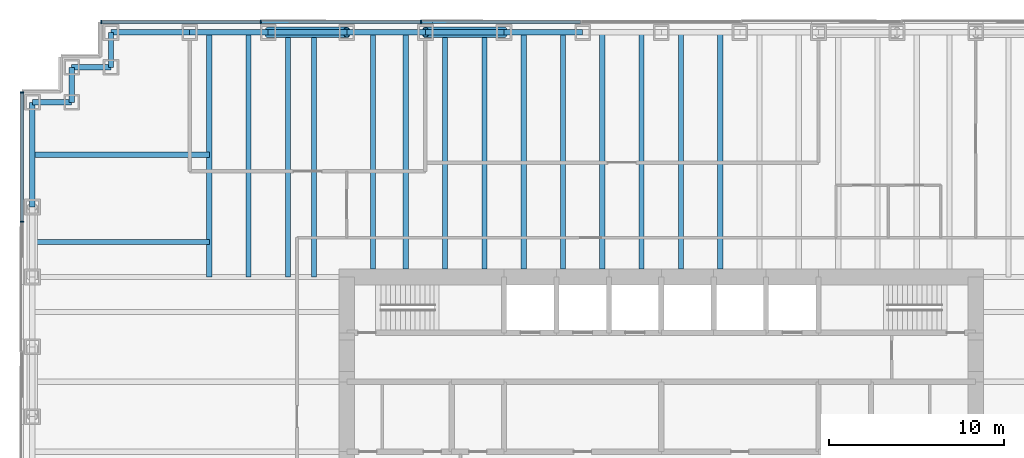
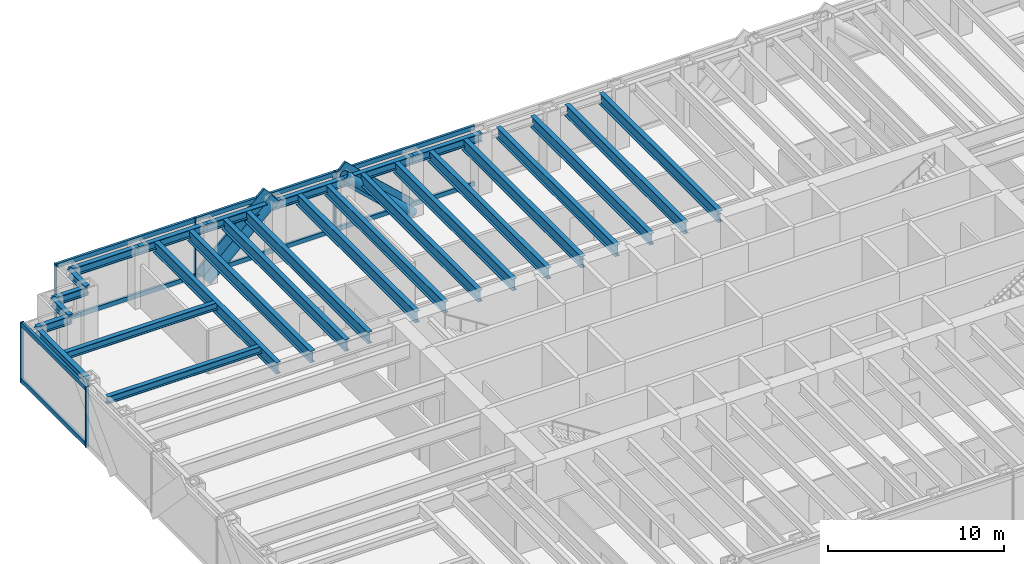
# One storey, part 6 of 15: 27 beams, 17 members, 2 elements without a shape of their own.
"""IFC4 building model written with IfcOpenShell, lengths in metres."""

from ifc_helpers import new_model, si_unit, direction, frame, origin, origin_2d, place, context, subcontext, project, spatial, rectangle, hollow_circle, i_section, extrude, material, material_profile, profile_set, type_object, element, aggregate, save


model = new_model("IFC4")

# Units and contexts
model_context = context("Model", 3, precision=1e-05, world=origin(), true_north=direction((0.0, 1.0)))
body_context = subcontext(model_context, "Body", "Model", "MODEL_VIEW")
ifc_project = project(units=[si_unit("LENGTHUNIT", "METRE"), si_unit("AREAUNIT", "SQUARE_METRE"), si_unit("VOLUMEUNIT", "CUBIC_METRE"), si_unit("PLANEANGLEUNIT", "RADIAN"), si_unit("MASSUNIT", "GRAM", prefix="KILO")], contexts=[model_context])

# Site, building, storey
site_placement = place(None, origin())
site = spatial("IfcSite", under=ifc_project, at=site_placement, CompositionType="ELEMENT")
building_placement = place(site_placement, origin())
building = spatial("IfcBuilding", under=site, at=building_placement, Name="Rheinbord Bourse Tower", CompositionType="ELEMENT")
storey_placement = place(building_placement, frame((0.0, 0.0, 134.10009765625)))
storey = spatial("IfcBuildingStorey", under=building, at=storey_placement, Name="L29", CompositionType="ELEMENT", Elevation=134.10009765625)

# Curtain wall, members
ifc_material_1 = material(Name="Dark glass and black aluminium", Category="aluminium")
curtain_wall_type = type_object("IfcCurtainWallType", Name="CW2 DARK GLASS CURTAIN WALL", PredefinedType="USERDEFINED", material=ifc_material_1)
curtain_wall_1_placement = place(storey_placement, origin())
curtain_wall_1 = element("IfcCurtainWall", 1, at=curtain_wall_1_placement, inside=storey, type_object=curtain_wall_type, Name="Curtain wall CW2 N L29", ObjectType="UNITISED CURTAIN WALL", PredefinedType="USERDEFINED")
ifc_material_2 = material(Name="Black anodised aluminium", Category="aluminium")
ifc_material_profile_1 = material_profile(ifc_material_2, rectangle(XDim=0.159912109375, YDim=1.2099609375, at=origin_2d()), Name="CW2 DIAGONAL MULLION 1210x160")
ifc_profile_set_1 = profile_set([ifc_material_profile_1], Name="Black anodised aluminium")
member_type_1 = type_object("IfcMemberType", Name="CW2 BLACK DIAGONAL MULLION", PredefinedType="USERDEFINED", material=ifc_profile_set_1)
member_1_placement = place(storey_placement, frame((13.5, 46.60009765625, 0.0), z_axis=(0.73105922506, 0.0, 0.682314010889), x_axis=(0.0, 1.0, 0.0)))
member_1 = element("IfcMember", 2, at=member_1_placement, type_object=member_type_1, Name="CW2 diagonal mullion a", ObjectType="DIAGONAL MULLION", PredefinedType="USERDEFINED", context=body_context, shape_type="SweptSolid", body=[
    extrude(rectangle(XDim=0.159912109375, YDim=1.2099609375, at=origin_2d()), origin(), (0.0, 0.0, 1.0), 6.155517578125),
])
member_2_placement = place(storey_placement, frame((27.0, 46.60009765625, 0.0), z_axis=(-0.73105922506, 0.0, 0.682314010889), x_axis=(0.0, -1.0, 0.0)))
member_2 = element("IfcMember", 3, at=member_2_placement, type_object=member_type_1, Name="CW2 diagonal mullion d", ObjectType="DIAGONAL MULLION", PredefinedType="USERDEFINED", context=body_context, shape_type="SweptSolid", body=[
    extrude(rectangle(XDim=0.159912109375, YDim=1.2099609375, at=origin_2d()), origin(), (0.0, 0.0, 1.0), 6.155517578125),
])
ifc_material_3 = material(Name="Black anodised aluminium", Category="aluminium")
ifc_material_profile_2 = material_profile(ifc_material_3, rectangle(XDim=0.219970703125, YDim=0.070068359375, at=origin_2d()), Name="CW2 MULLION 70x220")
ifc_profile_set_2 = profile_set([ifc_material_profile_2], Name="Black anodised aluminium")
member_type_2 = type_object("IfcMemberType", Name="CW2 BLACK MULLION", PredefinedType="MULLION", material=ifc_profile_set_2)
member_3_placement = place(storey_placement, frame((22.242919921875, 46.60009765625, 0.0), z_axis=(0.0, 0.0, 1.0), x_axis=(0.0, -1.0, 0.0)))
member_3 = element("IfcMember", 4, at=member_3_placement, type_object=member_type_2, Name="CW2 mullion 6", PredefinedType="MULLION", context=body_context, shape_type="SweptSolid", body=[
    extrude(rectangle(XDim=0.219970703125, YDim=0.070068359375, at=origin_2d()), origin(), (0.0, 0.0, 1.0), 4.199951171875),
])
member_4_placement = place(storey_placement, frame((13.071533203125, 46.60009765625, 0.0), z_axis=(0.0, 0.0, 1.0), x_axis=(0.0, -1.0, 0.0)))
member_4 = element("IfcMember", 5, at=member_4_placement, type_object=member_type_2, Name="CW2 mullion 7", PredefinedType="MULLION", context=body_context, shape_type="SweptSolid", body=[
    extrude(rectangle(XDim=0.219970703125, YDim=0.070068359375, at=origin_2d()), origin(), (0.0, 0.0, 1.0), 4.199951171875),
])
member_5_placement = place(storey_placement, frame((3.93505859375, 46.60009765625, 0.0), z_axis=(0.0, 0.0, 1.0), x_axis=(0.0, -1.0, 0.0)))
member_5 = element("IfcMember", 6, at=member_5_placement, type_object=member_type_2, Name="CW2 mullion 8", PredefinedType="MULLION", context=body_context, shape_type="SweptSolid", body=[
    extrude(rectangle(XDim=0.219970703125, YDim=0.070068359375, at=origin_2d()), origin(), (0.0, 0.0, 1.0), 4.199951171875),
])

curtain_wall_2_placement = place(storey_placement, origin())
curtain_wall_2 = element("IfcCurtainWall", 7, at=curtain_wall_2_placement, inside=storey, type_object=curtain_wall_type, Name="Curtain wall CW2 W L29", ObjectType="UNITISED CURTAIN WALL", PredefinedType="USERDEFINED")
member_6_placement = place(storey_placement, frame((-0.60009765625, 42.56494140625, 0.0), z_axis=(0.0, 0.0, 1.0), x_axis=(1.0, 0.0, 0.0)))
member_6 = element("IfcMember", 8, at=member_6_placement, type_object=member_type_2, Name="CW2 mullion 1", PredefinedType="MULLION", context=body_context, shape_type="SweptSolid", body=[
    extrude(rectangle(XDim=0.219970703125, YDim=0.070068359375, at=origin_2d()), origin(), (0.0, 0.0, 1.0), 4.199951171875),
])
member_7_placement = place(storey_placement, frame((-0.60009765625, 35.159912109375, 0.0), z_axis=(0.0, 0.0, 1.0), x_axis=(1.0, 0.0, 0.0)))
member_7 = element("IfcMember", 9, at=member_7_placement, type_object=member_type_2, Name="CW2 mullion 2", PredefinedType="MULLION", context=body_context, shape_type="SweptSolid", body=[
    extrude(rectangle(XDim=0.219970703125, YDim=0.070068359375, at=origin_2d()), origin(), (0.0, 0.0, 1.0), 4.199951171875),
])

# Member
ifc_material_4 = material(Name="Black anodised aluminium", Category="aluminium")
ifc_material_profile_3 = material_profile(ifc_material_4, rectangle(XDim=0.159912109375, YDim=0.300048828125, at=origin_2d()), Name="CW2 TRANSOM 300x160")
ifc_profile_set_3 = profile_set([ifc_material_profile_3], Name="Black anodised aluminium")
member_type_3 = type_object("IfcMemberType", Name="CW2 BLACK TRANSOM", PredefinedType="USERDEFINED", material=ifc_profile_set_3)
member_8_placement = place(storey_placement, frame((31.37939453125, 46.60009765625, 0.14990234375), z_axis=(-1.0, 0.0, 0.0), x_axis=(0.0, -1.0, 0.0)))
member_8 = element("IfcMember", 10, at=member_8_placement, type_object=member_type_3, Name="CW2 transom 5.1", ObjectType="TRANSOM", PredefinedType="USERDEFINED", context=body_context, shape_type="SweptSolid", body=[
    extrude(rectangle(XDim=0.159912109375, YDim=0.300048828125, at=origin_2d()), origin(), (0.0, 0.0, 1.0), 9.1015625),
])

member_9_placement = place(storey_placement, frame((31.37939453125, 46.60009765625, 4.0498046875), z_axis=(-1.0, 0.0, 0.0), x_axis=(0.0, -1.0, 0.0)))
member_9 = element("IfcMember", 11, at=member_9_placement, type_object=member_type_3, Name="CW2 transom 5.2", ObjectType="TRANSOM", PredefinedType="USERDEFINED", context=body_context, shape_type="SweptSolid", body=[
    extrude(rectangle(XDim=0.159912109375, YDim=0.300048828125, at=origin_2d()), origin(), (0.0, 0.0, 1.0), 9.1015625),
])

member_10_placement = place(storey_placement, frame((22.207763671875, 46.60009765625, 0.14990234375), z_axis=(-1.0, 0.0, 0.0), x_axis=(0.0, -1.0, 0.0)))
member_10 = element("IfcMember", 12, at=member_10_placement, type_object=member_type_3, Name="CW2 transom 6.1", ObjectType="TRANSOM", PredefinedType="USERDEFINED", context=body_context, shape_type="SweptSolid", body=[
    extrude(rectangle(XDim=0.159912109375, YDim=0.300048828125, at=origin_2d()), origin(), (0.0, 0.0, 1.0), 9.101318359375),
])

member_11_placement = place(storey_placement, frame((22.207763671875, 46.60009765625, 4.0498046875), z_axis=(-1.0, 0.0, 0.0), x_axis=(0.0, -1.0, 0.0)))
member_11 = element("IfcMember", 13, at=member_11_placement, type_object=member_type_3, Name="CW2 transom 6.2", ObjectType="TRANSOM", PredefinedType="USERDEFINED", context=body_context, shape_type="SweptSolid", body=[
    extrude(rectangle(XDim=0.159912109375, YDim=0.300048828125, at=origin_2d()), origin(), (0.0, 0.0, 1.0), 9.101318359375),
])

member_12_placement = place(storey_placement, frame((13.036376953125, 46.60009765625, 0.14990234375), z_axis=(-1.0, 0.0, 0.0), x_axis=(0.0, -1.0, 0.0)))
member_12 = element("IfcMember", 14, at=member_12_placement, type_object=member_type_3, Name="CW2 transom 7.1", ObjectType="TRANSOM", PredefinedType="USERDEFINED", context=body_context, shape_type="SweptSolid", body=[
    extrude(rectangle(XDim=0.159912109375, YDim=0.300048828125, at=origin_2d()), origin(), (0.0, 0.0, 1.0), 9.06640625),
])

member_13_placement = place(storey_placement, frame((13.036376953125, 46.60009765625, 4.0498046875), z_axis=(-1.0, 0.0, 0.0), x_axis=(0.0, -1.0, 0.0)))
member_13 = element("IfcMember", 15, at=member_13_placement, type_object=member_type_3, Name="CW2 transom 7.2", ObjectType="TRANSOM", PredefinedType="USERDEFINED", context=body_context, shape_type="SweptSolid", body=[
    extrude(rectangle(XDim=0.159912109375, YDim=0.300048828125, at=origin_2d()), origin(), (0.0, 0.0, 1.0), 9.06640625),
])

aggregate(curtain_wall_1, [member_3, member_4, member_5, member_8, member_9, member_10, member_11, member_12, member_13, member_1, member_2])

member_14_placement = place(storey_placement, frame((-0.60009765625, 42.530029296875, 0.14990234375), z_axis=(0.0, -1.0, 0.0), x_axis=(1.0, 0.0, 0.0)))
member_14 = element("IfcMember", 16, at=member_14_placement, type_object=member_type_3, Name="CW2 transom 1.1", ObjectType="TRANSOM", PredefinedType="USERDEFINED", context=body_context, shape_type="SweptSolid", body=[
    extrude(rectangle(XDim=0.159912109375, YDim=0.300048828125, at=origin_2d()), origin(), (0.0, 0.0, 1.0), 7.3349609375),
])

member_15_placement = place(storey_placement, frame((-0.60009765625, 42.530029296875, 4.0498046875), z_axis=(0.0, -1.0, 0.0), x_axis=(1.0, 0.0, 0.0)))
member_15 = element("IfcMember", 17, at=member_15_placement, type_object=member_type_3, Name="CW2 transom 1.2", ObjectType="TRANSOM", PredefinedType="USERDEFINED", context=body_context, shape_type="SweptSolid", body=[
    extrude(rectangle(XDim=0.159912109375, YDim=0.300048828125, at=origin_2d()), origin(), (0.0, 0.0, 1.0), 7.3349609375),
])

aggregate(curtain_wall_2, [member_6, member_7, member_14, member_15])

# Beams
ifc_material_5 = material(Name="Steel S460", Category="steel")
ifc_material_profile_4 = material_profile(ifc_material_5, i_section(OverallWidth=0.300048828125, OverallDepth=0.800048828125, WebThickness=0.017578125, FlangeThickness=0.032958984375, at=origin_2d()), Name="HEB 800")
ifc_profile_set_4 = profile_set([ifc_material_profile_4], Name="Steel S460")
beam_type_1 = type_object("IfcBeamType", Name="FLOOR BEAM HEB 800", PredefinedType="BEAM", material=ifc_profile_set_4)
for number, where, z_axis, x_axis, name in (
    (18, (10.125, 46.0, 3.639892578125), (0.0, -1.0, 0.0), (1.0, 0.0, 0.0), "Floor beam N-9a L30"),
    (19, (12.375, 46.0, 3.639892578125), (0.0, -1.0, 0.0), (1.0, 0.0, 0.0), "Floor beam N-9b L30"),
    (20, (14.625, 46.0, 3.639892578125), (0.0, -1.0, 0.0), (1.0, 0.0, 0.0), "Floor beam N-13.5a L30"),
    (21, (16.125, 46.0, 3.639892578125), (0.0, -1.0, 0.0), (1.0, 0.0, 0.0), "Floor beam N-13.5b L30"),
):
    element("IfcBeam", number, at=place(storey_placement, frame(where, z_axis=z_axis, x_axis=x_axis)), inside=storey, type_object=beam_type_1, Name=name, PredefinedType="BEAM", context=body_context, shape_type="SweptSolid", body=[
        extrude(i_section(OverallWidth=0.300048828125, OverallDepth=0.800048828125, WebThickness=0.017578125, FlangeThickness=0.032958984375, at=origin_2d()), origin(), (0.0, 0.0, 1.0), 14.0),
    ])
for number, where, z_axis, x_axis, name in (
    (22, (19.5, 46.0, 3.639892578125), (0.0, -1.0, 0.0), (1.0, 0.0, 0.0), "Floor beam N-18a L30"),
    (23, (21.375, 46.0, 3.639892578125), (0.0, -1.0, 0.0), (1.0, 0.0, 0.0), "Floor beam N-18b L30"),
    (24, (23.625, 46.0, 3.639892578125), (0.0, -1.0, 0.0), (1.0, 0.0, 0.0), "Floor beam N-22.5a L30"),
    (25, (25.875, 46.0, 3.639892578125), (0.0, -1.0, 0.0), (1.0, 0.0, 0.0), "Floor beam N-22.5b L30"),
    (26, (28.125, 46.0, 3.639892578125), (0.0, -1.0, 0.0), (1.0, 0.0, 0.0), "Floor beam N-27a L30"),
    (27, (30.375, 46.0, 3.639892578125), (0.0, -1.0, 0.0), (1.0, 0.0, 0.0), "Floor beam N-27b L30"),
    (28, (32.625, 46.0, 3.639892578125), (0.0, -1.0, 0.0), (1.0, 0.0, 0.0), "Floor beam N-31.5a L30"),
    (29, (34.875, 46.0, 3.639892578125), (0.0, -1.0, 0.0), (1.0, 0.0, 0.0), "Floor beam N-31.5b L30"),
    (30, (37.125, 46.0, 3.639892578125), (0.0, -1.0, 0.0), (1.0, 0.0, 0.0), "Floor beam N-36a L30"),
    (31, (39.375, 46.0, 3.639892578125), (0.0, -1.0, 0.0), (1.0, 0.0, 0.0), "Floor beam N-36b L30"),
):
    element("IfcBeam", number, at=place(storey_placement, frame(where, z_axis=z_axis, x_axis=x_axis)), inside=storey, type_object=beam_type_1, Name=name, PredefinedType="BEAM", context=body_context, shape_type="SweptSolid", body=[
        extrude(i_section(OverallWidth=0.300048828125, OverallDepth=0.800048828125, WebThickness=0.017578125, FlangeThickness=0.032958984375, at=origin_2d()), origin(), (0.0, 0.0, 1.0), 13.550048828125),
    ])

# Members
ifc_material_6 = material(Name="Steel S460", Category="steel")
ifc_material_profile_5 = material_profile(ifc_material_6, hollow_circle(Radius=0.304931640625, WallThickness=0.0400390625, at=origin_2d()), Name="CHS 610x40")
ifc_profile_set_5 = profile_set([ifc_material_profile_5], Name="Steel S460")
member_type_4 = type_object("IfcMemberType", Name="MEGABRACE CHS 610x40", PredefinedType="BRACE", material=ifc_profile_set_5)
for number, where, z_axis, x_axis, name in (
    (32, (13.5, 46.0, 0.0), (0.73105922506, 0.0, 0.682314010889), (0.0, 1.0, 0.0), "Megabrace N face line a L29"),
    (33, (27.0, 46.0, 0.0), (-0.73105922506, 0.0, 0.682314010889), (0.0, -1.0, 0.0), "Megabrace N face line d L29"),
):
    element("IfcMember", number, at=place(storey_placement, frame(where, z_axis=z_axis, x_axis=x_axis)), inside=storey, type_object=member_type_4, Name=name, PredefinedType="BRACE", context=body_context, shape_type="SweptSolid", body=[
        extrude(hollow_circle(Radius=0.304931640625, WallThickness=0.0400390625, at=origin_2d()), origin(), (0.0, 0.0, 1.0), 6.155517578125),
    ])

# Beams
ifc_material_7 = material(Name="Steel S460", Category="steel")
ifc_material_profile_6 = material_profile(ifc_material_7, i_section(OverallWidth=0.305908203125, OverallDepth=0.572021484375, WebThickness=0.02099609375, FlangeThickness=0.0400390625, at=origin_2d()), Name="HEM 550")
ifc_profile_set_6 = profile_set([ifc_material_profile_6], Name="Steel S460")
beam_type_2 = type_object("IfcBeamType", Name="SPANDREL HEM 550", PredefinedType="SPANDREL", material=ifc_profile_set_6)
for number, where, z_axis, x_axis, name in (
    (34, (31.5, 46.0, 3.75390625), (-1.0, 0.0, 0.0), (0.0, -1.0, 0.0), "Spandrel N-31.5-N-27 under L30"),
    (35, (27.0, 46.0, 3.75390625), (-1.0, 0.0, 0.0), (0.0, -1.0, 0.0), "Spandrel N-27-N-22.5 under L30"),
    (36, (22.5, 46.0, 3.75390625), (-1.0, 0.0, 0.0), (0.0, -1.0, 0.0), "Spandrel N-22.5-N-18 under L30"),
    (37, (18.0, 46.0, 3.75390625), (-1.0, 0.0, 0.0), (0.0, -1.0, 0.0), "Spandrel N-18-N-13.5 under L30"),
    (38, (13.5, 46.0, 3.75390625), (-1.0, 0.0, 0.0), (0.0, -1.0, 0.0), "Spandrel N-13.5-N-9 under L30"),
    (39, (9.0, 46.0, 3.75390625), (-1.0, 0.0, 0.0), (0.0, -1.0, 0.0), "Spandrel N-9-NW-E under L30"),
):
    element("IfcBeam", number, at=place(storey_placement, frame(where, z_axis=z_axis, x_axis=x_axis)), inside=storey, type_object=beam_type_2, Name=name, PredefinedType="SPANDREL", context=body_context, shape_type="SweptSolid", body=[
        extrude(i_section(OverallWidth=0.305908203125, OverallDepth=0.572021484375, WebThickness=0.02099609375, FlangeThickness=0.0400390625, at=origin_2d()), origin(), (0.0, 0.0, 1.0), 4.5),
    ])
beam_1_placement = place(storey_placement, frame((4.5, 46.0, 3.75390625), z_axis=(0.0, -1.0, 0.0), x_axis=(1.0, 0.0, 0.0)))
element("IfcBeam", 40, at=beam_1_placement, inside=storey, type_object=beam_type_2, Name="Spandrel NW-E-NW-D under L30", PredefinedType="SPANDREL", context=body_context, shape_type="SweptSolid", body=[
    extrude(i_section(OverallWidth=0.305908203125, OverallDepth=0.572021484375, WebThickness=0.02099609375, FlangeThickness=0.0400390625, at=origin_2d()), origin(), (0.0, 0.0, 1.0), 2.0),
])
beam_2_placement = place(storey_placement, frame((4.5, 44.0, 3.75390625), z_axis=(-1.0, 0.0, 0.0), x_axis=(0.0, -1.0, 0.0)))
element("IfcBeam", 41, at=beam_2_placement, inside=storey, type_object=beam_type_2, Name="Spandrel NW-D-NW-C under L30", PredefinedType="SPANDREL", context=body_context, shape_type="SweptSolid", body=[
    extrude(i_section(OverallWidth=0.305908203125, OverallDepth=0.572021484375, WebThickness=0.02099609375, FlangeThickness=0.0400390625, at=origin_2d()), origin(), (0.0, 0.0, 1.0), 2.25),
])
beam_3_placement = place(storey_placement, frame((2.25, 44.0, 3.75390625), z_axis=(0.0, -1.0, 0.0), x_axis=(1.0, 0.0, 0.0)))
element("IfcBeam", 42, at=beam_3_placement, inside=storey, type_object=beam_type_2, Name="Spandrel NW-C-NW-B under L30", PredefinedType="SPANDREL", context=body_context, shape_type="SweptSolid", body=[
    extrude(i_section(OverallWidth=0.305908203125, OverallDepth=0.572021484375, WebThickness=0.02099609375, FlangeThickness=0.0400390625, at=origin_2d()), origin(), (0.0, 0.0, 1.0), 2.0),
])
beam_4_placement = place(storey_placement, frame((2.25, 42.0, 3.75390625), z_axis=(-1.0, 0.0, 0.0), x_axis=(0.0, -1.0, 0.0)))
element("IfcBeam", 43, at=beam_4_placement, inside=storey, type_object=beam_type_2, Name="Spandrel NW-B-NW-A under L30", PredefinedType="SPANDREL", context=body_context, shape_type="SweptSolid", body=[
    extrude(i_section(OverallWidth=0.305908203125, OverallDepth=0.572021484375, WebThickness=0.02099609375, FlangeThickness=0.0400390625, at=origin_2d()), origin(), (0.0, 0.0, 1.0), 2.25),
])
beam_5_placement = place(storey_placement, frame((0.0, 42.0, 3.75390625), z_axis=(0.0, -1.0, 0.0), x_axis=(1.0, 0.0, 0.0)))
element("IfcBeam", 44, at=beam_5_placement, inside=storey, type_object=beam_type_2, Name="Spandrel NW-A-W-36 under L30", PredefinedType="SPANDREL", context=body_context, shape_type="SweptSolid", body=[
    extrude(i_section(OverallWidth=0.305908203125, OverallDepth=0.572021484375, WebThickness=0.02099609375, FlangeThickness=0.0400390625, at=origin_2d()), origin(), (0.0, 0.0, 1.0), 6.0),
])
ifc_material_8 = material(Name="Steel S460", Category="steel")
ifc_material_profile_7 = material_profile(ifc_material_8, i_section(OverallWidth=0.300048828125, OverallDepth=0.5, WebThickness=0.014404296875, FlangeThickness=0.028076171875, at=origin_2d()), Name="HEB 500")
ifc_profile_set_7 = profile_set([ifc_material_profile_7], Name="Steel S460")
beam_type_3 = type_object("IfcBeamType", Name="TIE BEAM HEB 500", PredefinedType="JOIST", material=ifc_profile_set_7)
for number, where, z_axis, x_axis, name in (
    (45, (0.0, 34.0, 3.789794921875), (1.0, 0.0, 0.0), (0.0, 1.0, 0.0), "Tie west 34 L30"),
    (46, (0.0, 39.0, 3.789794921875), (1.0, 0.0, 0.0), (0.0, 1.0, 0.0), "Tie west 39 L30"),
):
    element("IfcBeam", number, at=place(storey_placement, frame(where, z_axis=z_axis, x_axis=x_axis)), inside=storey, type_object=beam_type_3, Name=name, PredefinedType="JOIST", context=body_context, shape_type="SweptSolid", body=[
        extrude(i_section(OverallWidth=0.300048828125, OverallDepth=0.5, WebThickness=0.014404296875, FlangeThickness=0.028076171875, at=origin_2d()), origin(), (0.0, 0.0, 1.0), 10.125),
    ])

save(model, "model.ifc")
